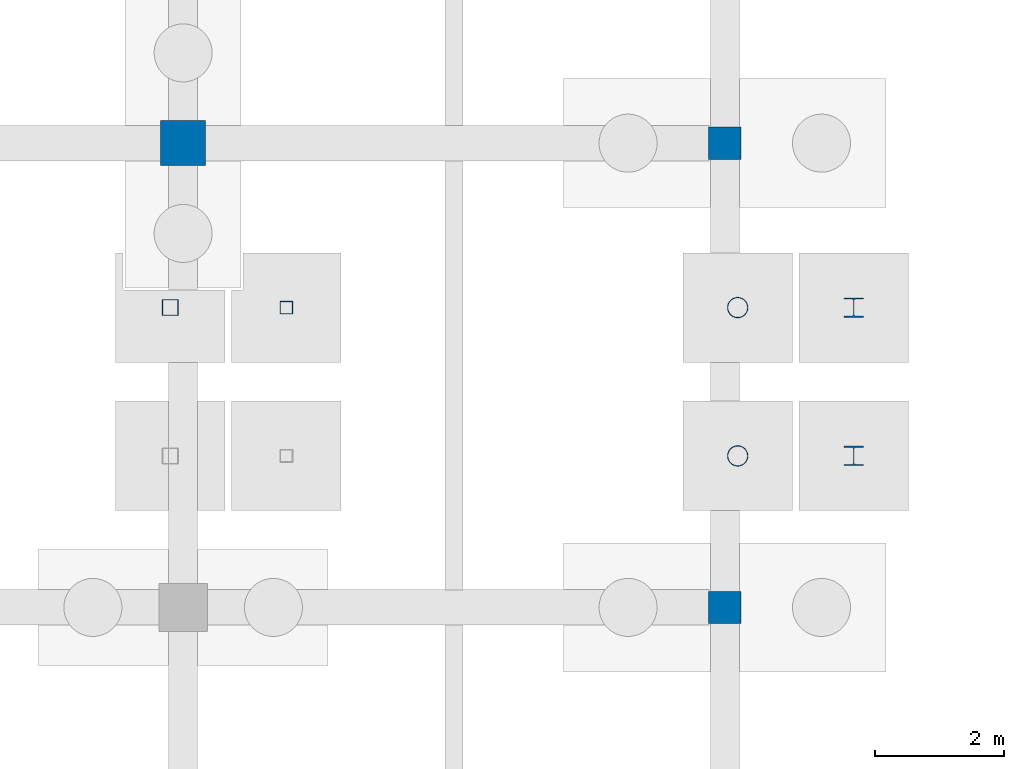
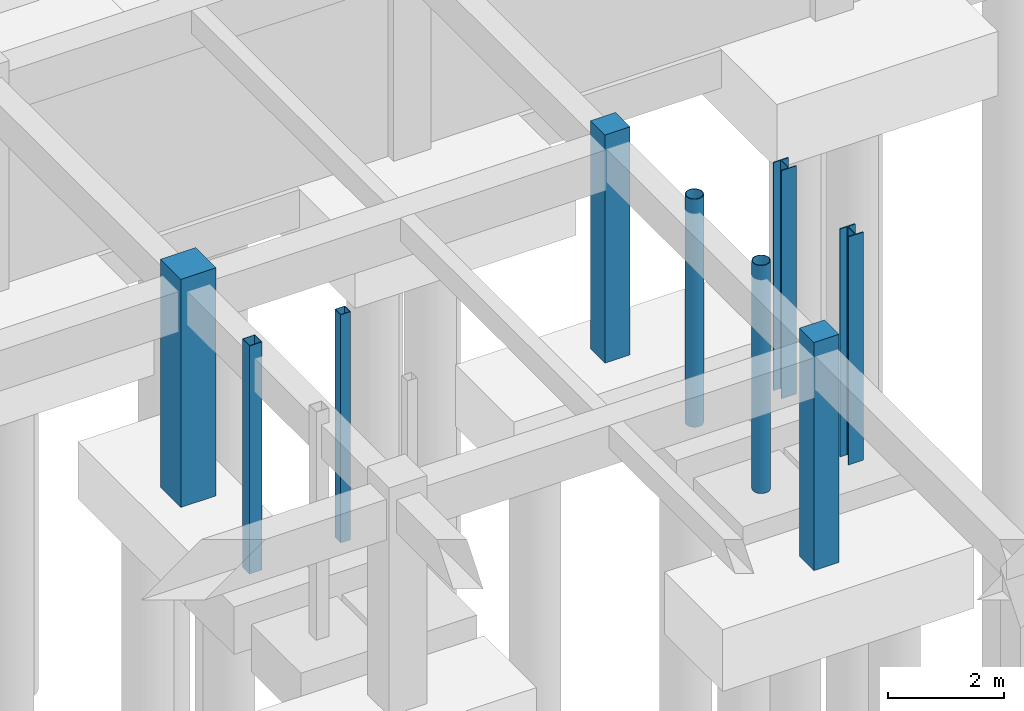
# One storey, part 39 of 80: 9 columns.
"""IFC4 building model written with IfcOpenShell, lengths in metres."""

import ifcopenshell
import ifcopenshell.guid

model = None  # the IFC model being written
_history = None  # IfcOwnerHistory: only IFC2X3 demands one
_inside = {}  # id of a spatial element -> (the spatial element, [elements in it])
_under = {}  # id of a project, library or spatial element -> (it, [spatial elements below it])
_declared = {}  # id of a project -> (the project, [libraries it declares])
_typed = {}  # id of a type object -> (the type object, [elements of that type])
_made_of = {}  # id of a material, layer set ... -> (it, [elements and type objects made of it])


def new_model(schema):
    """Start an empty IFC model of exactly this schema.

    Asked for "IFC4X3", IfcOpenShell would pick the latest addendum, in which some entities
    have other attributes; the version numbers below select the first issue.
    IFC2X3 requires an IfcOwnerHistory on every rooted entity: one is made here for all.
    """
    global model, _history
    if schema == "IFC4X3":
        model = ifcopenshell.file(schema_version=(4, 3, 0, 0))
    else:
        model = ifcopenshell.file(schema=schema)
    _inside.clear()
    _under.clear()
    _declared.clear()
    _typed.clear()
    _made_of.clear()
    _history = None
    if model.schema == "IFC2X3":
        org = make("IfcOrganization", Name="unknown")
        user = make(
            "IfcPersonAndOrganization",
            ThePerson=make("IfcPerson", FamilyName="unknown"),
            TheOrganization=org,
        )
        app = make(
            "IfcApplication",
            ApplicationDeveloper=org,
            Version="unknown",
            ApplicationFullName="unknown",
            ApplicationIdentifier="unknown",
        )
        _history = make(
            "IfcOwnerHistory",
            OwningUser=user,
            OwningApplication=app,
            ChangeAction="ADDED",
            CreationDate=0,
        )
    return model


def make(cls, **values):
    """One entity of the class cls with the attributes given. An attribute that is None is left unset."""
    return model.create_entity(
        cls, **{name: value for name, value in values.items() if value is not None}
    )


def rooted(cls, **values):
    """An entity with a GlobalId (a new one), such as an element, a storey or a relation."""
    return make(cls, GlobalId=ifcopenshell.guid.new(), OwnerHistory=_history, **values)


def si_unit(unit_type, name, prefix=None):
    """IfcSIUnit, for example si_unit("LENGTHUNIT", "METRE", prefix="MILLI")."""
    return make("IfcSIUnit", UnitType=unit_type, Prefix=prefix, Name=name)


def assignment(units):
    """IfcUnitAssignment: the units of a project."""
    return None if units is None else make("IfcUnitAssignment", Units=units)


def point(xyz):
    """IfcCartesianPoint."""
    return None if xyz is None else make("IfcCartesianPoint", Coordinates=xyz)


def direction(xyz):
    """IfcDirection."""
    return None if xyz is None else make("IfcDirection", DirectionRatios=xyz)


def frame(location, z_axis=None, x_axis=None):
    """IfcAxis2Placement3D, a coordinate frame: its origin and axes. An axis left out is left unset."""
    return make(
        "IfcAxis2Placement3D",
        Location=point(location),
        Axis=direction(z_axis),
        RefDirection=direction(x_axis),
    )


def frame_2d(location, x_axis=None):
    """IfcAxis2Placement2D, a coordinate frame in the plane: its origin and x axis."""
    return make(
        "IfcAxis2Placement2D", Location=point(location), RefDirection=direction(x_axis)
    )


def origin():
    """The frame at (0, 0, 0) with its axes left unset."""
    return frame((0.0, 0.0, 0.0))


def origin_2d():
    """The frame at (0, 0) in the plane with its x axis left unset."""
    return frame_2d((0.0, 0.0))


def place(relative_to, where):
    """IfcLocalPlacement: puts the frame where relative to a parent placement (None: the world)."""
    return make(
        "IfcLocalPlacement", PlacementRelTo=relative_to, RelativePlacement=where
    )


def context(
    kind, dimensions, precision=None, world=None, true_north=None, identifier=None
):
    """IfcGeometricRepresentationContext, for example the 3D "Model" context."""
    return make(
        "IfcGeometricRepresentationContext",
        ContextIdentifier=identifier,
        ContextType=kind,
        CoordinateSpaceDimension=dimensions,
        Precision=precision,
        WorldCoordinateSystem=world,
        TrueNorth=true_north,
    )


def subcontext(parent, identifier, kind, view, scale=None):
    """IfcGeometricRepresentationSubContext, for example "Body" below "Model"."""
    return make(
        "IfcGeometricRepresentationSubContext",
        ContextIdentifier=identifier,
        ContextType=kind,
        ParentContext=parent,
        TargetScale=scale,
        TargetView=view,
    )


def project(units=None, contexts=None):
    """IfcProject with its units and contexts."""
    return rooted(
        "IfcProject",
        Name="project",
        RepresentationContexts=contexts,
        UnitsInContext=assignment(units),
    )


def spatial(cls, under=None, at=None, **own):
    """A site, building, storey or space (cls), placed at a placement, below another one or the project."""
    s = rooted(cls, ObjectPlacement=at, **own)
    if under is not None:
        _under.setdefault(under.id(), (under, []))[1].append(s)
    return s


def profile(cls, at=None, kind="AREA", **sizes):
    """A parametric profile (cls). Its sizes go by their IFC names, for example OverallWidth=200.0."""
    return make(cls, ProfileType=kind, Position=at, **sizes)


def rectangle(**sizes):
    """IfcRectangleProfileDef."""
    return profile("IfcRectangleProfileDef", **sizes)


def hollow_rectangle(**sizes):
    """IfcRectangleHollowProfileDef."""
    return profile("IfcRectangleHollowProfileDef", **sizes)


def hollow_circle(**sizes):
    """IfcCircleHollowProfileDef."""
    return profile("IfcCircleHollowProfileDef", **sizes)


def i_section(**sizes):
    """IfcIShapeProfileDef."""
    return profile("IfcIShapeProfileDef", **sizes)


def extrude(swept, where, along, depth):
    """IfcExtrudedAreaSolid: the profile swept, set in the frame where, extruded along a direction by depth."""
    return make(
        "IfcExtrudedAreaSolid",
        SweptArea=swept,
        Position=where,
        ExtrudedDirection=direction(along),
        Depth=depth,
    )


def shape(context_of_items, identifier, shape_type, items):
    """IfcShapeRepresentation: the items that make up one representation, for example the "Body"."""
    return make(
        "IfcShapeRepresentation",
        ContextOfItems=context_of_items,
        RepresentationIdentifier=identifier,
        RepresentationType=shape_type,
        Items=items,
    )


def material(Name=None, Category=None):
    """IfcMaterial."""
    return make("IfcMaterial", Name=Name, Category=Category)


def material_profile(
    of_material, cross_section, Name=None, Category=None, Priority=None
):
    """IfcMaterialProfile: a cross section and its material."""
    return make(
        "IfcMaterialProfile",
        Name=Name,
        Material=of_material,
        Profile=cross_section,
        Priority=Priority,
        Category=Category,
    )


def profile_set(profiles, Name=None, composite=None):
    """IfcMaterialProfileSet."""
    return make(
        "IfcMaterialProfileSet",
        Name=Name,
        MaterialProfiles=profiles,
        CompositeProfile=composite,
    )


def made_of(thing, what):
    """Note that an element or type object is made of a material, layer set ...; save() writes the relation."""
    if what is not None:
        _made_of.setdefault(what.id(), (what, []))[1].append(thing)
    return thing


def type_object(cls, material=None, **own):
    """A type object (cls), such as IfcWallType, which elements share."""
    return made_of(rooted(cls, **own), material)


def element(
    cls,
    number,
    at=None,
    inside=None,
    cuts=None,
    type_object=None,
    material=None,
    context=None,
    identifier="Body",
    shape_type=None,
    held_by="IfcProductDefinitionShape",
    body=None,
    shapes=None,
    **own,
):
    """One element of the class cls, such as IfcWall. Its Tag is "e" and its number.

    at: its placement. inside: the storey or other place that contains it. cuts: it is an
    opening in that element (IfcRelVoidsElement). A single representation is given by context,
    identifier, shape_type and body (its items); several are given by shapes. held_by: the class
    of the entity that holds the representations. save() writes the other relations.
    """
    e = rooted(cls, Tag="e%d" % number, ObjectPlacement=at, **own)
    if body is not None:
        shapes = [shape(context, identifier, shape_type, body)]
    if shapes is not None:
        e.Representation = make(held_by, Representations=shapes)
    if inside is not None:
        _inside.setdefault(inside.id(), (inside, []))[1].append(e)
    if cuts is not None:
        rooted(
            "IfcRelVoidsElement", RelatingBuildingElement=cuts, RelatedOpeningElement=e
        )
    if type_object is not None:
        _typed.setdefault(type_object.id(), (type_object, []))[1].append(e)
    return made_of(e, material)


def aggregate(whole, parts):
    """IfcRelAggregates: a whole, such as a stair, and the parts it consists of."""
    return rooted("IfcRelAggregates", RelatingObject=whole, RelatedObjects=parts)


def save(model, path):
    """Write the relations noted so far, then the file.

    IfcRelAggregates (storeys below a building ...), IfcRelContainedInSpatialStructure (elements
    in a storey), IfcRelDefinesByType, IfcRelAssociatesMaterial and IfcRelDeclares: one each for
    every whole, place, type object, material and project.
    """
    for whole, parts in _under.values():
        aggregate(whole, parts)
    for where, things in _inside.values():
        rooted(
            "IfcRelContainedInSpatialStructure",
            RelatedElements=things,
            RelatingStructure=where,
        )
    for kind, things in _typed.values():
        rooted("IfcRelDefinesByType", RelatedObjects=things, RelatingType=kind)
    for what, things in _made_of.values():
        rooted("IfcRelAssociatesMaterial", RelatedObjects=things, RelatingMaterial=what)
    for by, libraries in _declared.values():
        rooted("IfcRelDeclares", RelatingContext=by, RelatedDefinitions=libraries)
    model.write(path)


model = new_model("IFC4")

# Units and contexts
model_context = context("Model", 3, precision=1e-05, world=origin(), true_north=direction((0.0, 1.0)))
body_context = subcontext(model_context, "Body", "Model", "MODEL_VIEW")
ifc_project = project(units=[si_unit("LENGTHUNIT", "METRE"), si_unit("AREAUNIT", "SQUARE_METRE"), si_unit("VOLUMEUNIT", "CUBIC_METRE"), si_unit("PLANEANGLEUNIT", "RADIAN"), si_unit("MASSUNIT", "GRAM", prefix="KILO")], contexts=[model_context])

# Site, building, storey
site_placement = place(None, origin())
site = spatial("IfcSite", under=ifc_project, at=site_placement, CompositionType="ELEMENT")
building_placement = place(site_placement, origin())
building = spatial("IfcBuilding", under=site, at=building_placement, Name="Malvenik Polytechnic", CompositionType="ELEMENT")
storey_placement = place(building_placement, frame((0.0, 0.0, -4.800048828125)))
storey = spatial("IfcBuildingStorey", under=building, at=storey_placement, Name="B1", CompositionType="ELEMENT", Elevation=-4.800048828125)

# Columns
ifc_material_1 = material(Name="Concrete C40/50", Category="concrete")
ifc_material_profile_1 = material_profile(ifc_material_1, rectangle(XDim=0.699951171875, YDim=0.699951171875, at=origin_2d()), Name="RC COL 700x700")
ifc_profile_set_1 = profile_set([ifc_material_profile_1], Name="Concrete C40/50")
column_type_1 = type_object("IfcColumnType", Name="STR-COL-C-04", PredefinedType="COLUMN", material=ifc_profile_set_1)
column_1_placement = place(storey_placement, frame((84.0, 108.0, 0.0), z_axis=(0.0, 0.0, 1.0), x_axis=(1.0, 0.0, 0.0)))
element("IfcColumn", 1, at=column_1_placement, inside=storey, type_object=column_type_1, Name="Column C-04 B1 (84.0,108.0)", PredefinedType="COLUMN", context=body_context, shape_type="SweptSolid", body=[
    extrude(rectangle(XDim=0.699951171875, YDim=0.699951171875, at=origin_2d()), origin(), (0.0, 0.0, 1.0), 4.800048828125),
])
ifc_material_2 = material(Name="Concrete C35/45", Category="concrete")
ifc_material_profile_2 = material_profile(ifc_material_2, rectangle(XDim=0.5, YDim=0.5, at=origin_2d()), Name="RC COL 500x500")
ifc_profile_set_2 = profile_set([ifc_material_profile_2], Name="Concrete C35/45")
column_type_2 = type_object("IfcColumnType", Name="STR-COL-C-08", PredefinedType="COLUMN", material=ifc_profile_set_2)
for number, where, z_axis, x_axis, name in (
    (2, (92.39990234375, 100.800048828125, 0.0), (0.0, 0.0, 1.0), (1.0, 0.0, 0.0), "Column C-08 B1 (92.4,100.8)"),
    (3, (92.39990234375, 108.0, 0.0), (0.0, 0.0, 1.0), (1.0, 0.0, 0.0), "Column C-08 B1 (92.4,108.0)"),
):
    element("IfcColumn", number, at=place(storey_placement, frame(where, z_axis=z_axis, x_axis=x_axis)), inside=storey, type_object=column_type_2, Name=name, PredefinedType="COLUMN", context=body_context, shape_type="SweptSolid", body=[
        extrude(rectangle(XDim=0.5, YDim=0.5, at=origin_2d()), origin(), (0.0, 0.0, 1.0), 4.800048828125),
    ])
ifc_material_3 = material(Name="Steel S355J2H", Category="steel")
ifc_material_profile_3 = material_profile(ifc_material_3, hollow_rectangle(XDim=0.25, YDim=0.25, WallThickness=0.010009765625, at=origin_2d()), Name="SHS 250x250x10.0")
ifc_profile_set_3 = profile_set([ifc_material_profile_3], Name="Steel S355J2H")
column_type_3 = type_object("IfcColumnType", Name="STR-SCOL-SC-01", PredefinedType="COLUMN", material=ifc_profile_set_3)
column_2_placement = place(storey_placement, frame((83.800048828125, 105.449951171875, 0.0), z_axis=(0.0, 0.0, 1.0), x_axis=(1.0, 0.0, 0.0)))
element("IfcColumn", 4, at=column_2_placement, inside=storey, type_object=column_type_3, Name="Bridge-Ramp Support Column SC-01 B1", PredefinedType="COLUMN", context=body_context, shape_type="SweptSolid", body=[
    extrude(hollow_rectangle(XDim=0.25, YDim=0.25, WallThickness=0.010009765625, at=origin_2d()), origin(), (0.0, 0.0, 1.0), 4.800048828125),
])
ifc_material_profile_4 = material_profile(ifc_material_3, hollow_rectangle(XDim=0.199951171875, YDim=0.199951171875, WallThickness=0.010009765625, at=origin_2d()), Name="SHS 200x200x10.0")
ifc_profile_set_4 = profile_set([ifc_material_profile_4], Name="Steel S355J2H")
column_type_4 = type_object("IfcColumnType", Name="STR-SCOL-SC-02", PredefinedType="COLUMN", material=ifc_profile_set_4)
column_3_placement = place(storey_placement, frame((85.60009765625, 105.449951171875, 0.0), z_axis=(0.0, 0.0, 1.0), x_axis=(1.0, 0.0, 0.0)))
element("IfcColumn", 5, at=column_3_placement, inside=storey, type_object=column_type_4, Name="Bridge-Ramp Support Column SC-02 B1", PredefinedType="COLUMN", context=body_context, shape_type="SweptSolid", body=[
    extrude(hollow_rectangle(XDim=0.199951171875, YDim=0.199951171875, WallThickness=0.010009765625, at=origin_2d()), origin(), (0.0, 0.0, 1.0), 4.800048828125),
])
ifc_material_profile_5 = material_profile(ifc_material_3, hollow_circle(Radius=0.161865234375, WallThickness=0.012451171875, at=origin_2d()), Name="CHS 323.9x12.5")
ifc_profile_set_5 = profile_set([ifc_material_profile_5], Name="Steel S355J2H")
column_type_5 = type_object("IfcColumnType", Name="STR-SCOL-SC-04", PredefinedType="COLUMN", material=ifc_profile_set_5)
for number, where, z_axis, x_axis, name in (
    (6, (92.60009765625, 103.14990234375, 0.0), (0.0, 0.0, 1.0), (1.0, 0.0, 0.0), "Bridge-Ramp Support Column SC-04 B1"),
    (7, (92.60009765625, 105.449951171875, 0.0), (0.0, 0.0, 1.0), (1.0, 0.0, 0.0), "Bridge-Ramp Support Column SC-04 B1"),
):
    element("IfcColumn", number, at=place(storey_placement, frame(where, z_axis=z_axis, x_axis=x_axis)), inside=storey, type_object=column_type_5, Name=name, PredefinedType="COLUMN", context=body_context, shape_type="SweptSolid", body=[
        extrude(hollow_circle(Radius=0.161865234375, WallThickness=0.012451171875, at=origin_2d()), origin(), (0.0, 0.0, 1.0), 4.800048828125),
    ])
ifc_material_4 = material(Name="Steel S355", Category="steel")
ifc_material_profile_6 = material_profile(ifc_material_4, i_section(OverallWidth=0.300048828125, OverallDepth=0.300048828125, WebThickness=0.010986328125, FlangeThickness=0.01904296875, FilletRadius=0.027099609375, at=origin_2d()), Name="HEB 300")
ifc_profile_set_6 = profile_set([ifc_material_profile_6], Name="Steel S355")
column_type_6 = type_object("IfcColumnType", Name="STR-SCOL-SC-05", PredefinedType="COLUMN", material=ifc_profile_set_6)
for number, where, z_axis, x_axis, name in (
    (8, (94.39990234375, 103.14990234375, 0.0), (0.0, 0.0, 1.0), (1.0, 0.0, 0.0), "Bridge-Ramp Support Column SC-05 B1"),
    (9, (94.39990234375, 105.449951171875, 0.0), (0.0, 0.0, 1.0), (1.0, 0.0, 0.0), "Bridge-Ramp Support Column SC-05 B1"),
):
    element("IfcColumn", number, at=place(storey_placement, frame(where, z_axis=z_axis, x_axis=x_axis)), inside=storey, type_object=column_type_6, Name=name, PredefinedType="COLUMN", context=body_context, shape_type="SweptSolid", body=[
        extrude(i_section(OverallWidth=0.300048828125, OverallDepth=0.300048828125, WebThickness=0.010986328125, FlangeThickness=0.01904296875, FilletRadius=0.027099609375, at=origin_2d()), origin(), (0.0, 0.0, 1.0), 4.800048828125),
    ])

save(model, "model.ifc")
